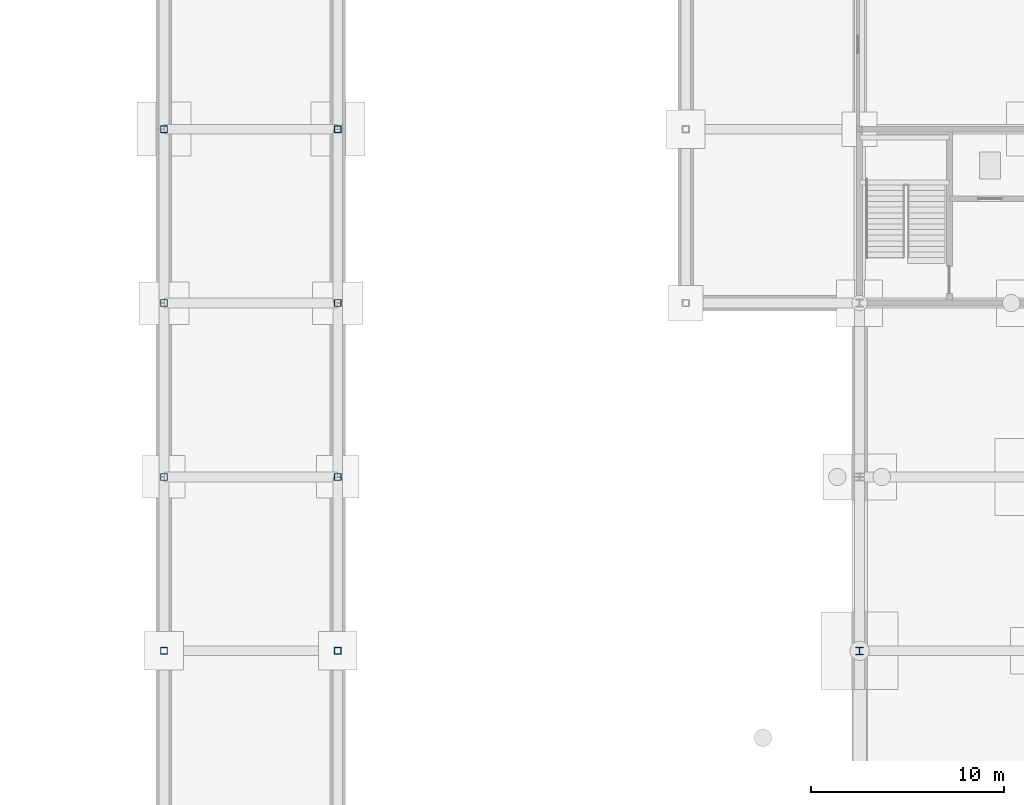
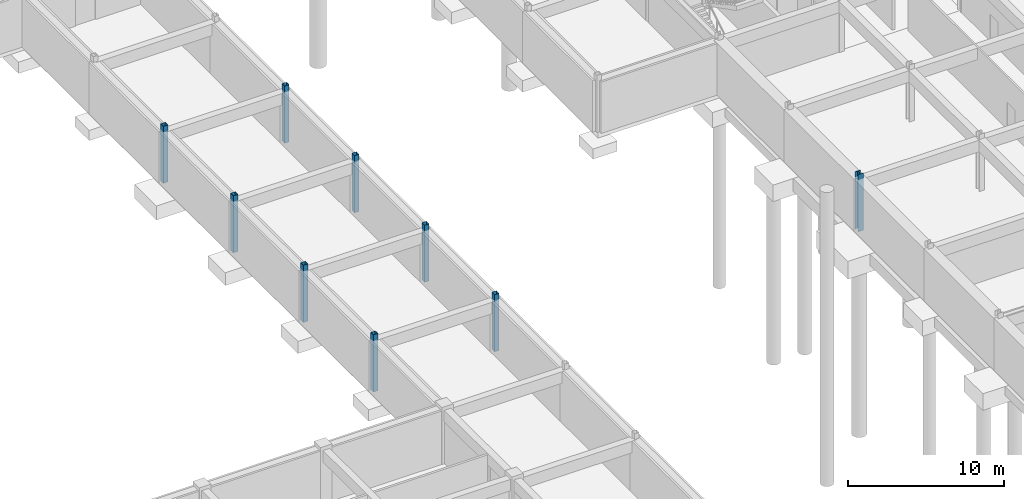
# One storey, part 7 of 41: 9 columns.
"""IFC4 building model written with IfcOpenShell, lengths in metres."""

from ifc_helpers import new_model, si_unit, direction, frame, origin, origin_2d, place, context, subcontext, project, spatial, hollow_rectangle, i_section, extrude, material, material_profile, profile_set, type_object, element, save


model = new_model("IFC4")

# Units and contexts
model_context = context("Model", 3, precision=1e-05, world=origin(), true_north=direction((0.0, 1.0)))
body_context = subcontext(model_context, "Body", "Model", "MODEL_VIEW")
ifc_project = project(units=[si_unit("LENGTHUNIT", "METRE"), si_unit("AREAUNIT", "SQUARE_METRE"), si_unit("VOLUMEUNIT", "CUBIC_METRE"), si_unit("PLANEANGLEUNIT", "RADIAN"), si_unit("MASSUNIT", "GRAM", prefix="KILO")], contexts=[model_context])

# Site, building, storey
site_placement = place(None, origin())
site = spatial("IfcSite", under=ifc_project, at=site_placement, CompositionType="ELEMENT")
building_placement = place(site_placement, origin())
building = spatial("IfcBuilding", under=site, at=building_placement, Name="Palais des Congres Ocreval", CompositionType="ELEMENT")
storey_placement = place(building_placement, frame((0.0, 0.0, -8.9599609375)))
storey = spatial("IfcBuildingStorey", under=building, at=storey_placement, Name="B2", CompositionType="ELEMENT", Elevation=-8.9599609375)

# Columns
ifc_material = material(Name="Steel S355", Category="steel")
ifc_material_profile_1 = material_profile(ifc_material, i_section(OverallWidth=0.40087890625, OverallDepth=0.39892578125, WebThickness=0.0185546875, FlangeThickness=0.030029296875, at=origin_2d()), Name="HD 400x314")
ifc_profile_set_1 = profile_set([ifc_material_profile_1], Name="Steel S355")
column_type_1 = type_object("IfcColumnType", Name="Column HD 400x314 Steel S355", PredefinedType="COLUMN", material=ifc_profile_set_1)
column_placement = place(storey_placement, frame((108.0, 27.0, 0.0), z_axis=(0.0, 0.0, 1.0), x_axis=(1.0, 0.0, 0.0)))
element("IfcColumn", 1, at=column_placement, inside=storey, type_object=column_type_1, Name="Column C04 B2", PredefinedType="COLUMN", context=body_context, shape_type="SweptSolid", body=[
    extrude(i_section(OverallWidth=0.40087890625, OverallDepth=0.39892578125, WebThickness=0.0185546875, FlangeThickness=0.030029296875, at=origin_2d()), origin(), (0.0, 0.0, 1.0), 4.47998046875),
])
ifc_material_profile_2 = material_profile(ifc_material, hollow_rectangle(XDim=0.35009765625, YDim=0.35009765625, WallThickness=0.01611328125, at=origin_2d()), Name="RHS 350x350x16")
ifc_profile_set_2 = profile_set([ifc_material_profile_2], Name="Steel S355")
column_type_2 = type_object("IfcColumnType", Name="Column RHS 350x350x16 Steel S355", PredefinedType="COLUMN", material=ifc_profile_set_2)
for number, where, z_axis, x_axis, name in (
    (2, (72.0, 27.0, 0.0), (0.0, 0.0, 1.0), (1.0, 0.0, 0.0), "Column C18 B2"),
    (3, (72.0, 36.0, 0.0), (0.0, 0.0, 1.0), (1.0, 0.0, 0.0), "Column C18 B2"),
    (4, (72.0, 45.0, 0.0), (0.0, 0.0, 1.0), (1.0, 0.0, 0.0), "Column C18 B2"),
    (5, (72.0, 54.0, 0.0), (0.0, 0.0, 1.0), (1.0, 0.0, 0.0), "Column C18 B2"),
    (6, (81.0, 27.0, 0.0), (0.0, 0.0, 1.0), (1.0, 0.0, 0.0), "Column C18 B2"),
    (7, (81.0, 36.0, 0.0), (0.0, 0.0, 1.0), (1.0, 0.0, 0.0), "Column C18 B2"),
    (8, (81.0, 45.0, 0.0), (0.0, 0.0, 1.0), (1.0, 0.0, 0.0), "Column C18 B2"),
    (9, (81.0, 54.0, 0.0), (0.0, 0.0, 1.0), (1.0, 0.0, 0.0), "Column C18 B2"),
):
    element("IfcColumn", number, at=place(storey_placement, frame(where, z_axis=z_axis, x_axis=x_axis)), inside=storey, type_object=column_type_2, Name=name, PredefinedType="COLUMN", context=body_context, shape_type="SweptSolid", body=[
        extrude(hollow_rectangle(XDim=0.35009765625, YDim=0.35009765625, WallThickness=0.01611328125, at=origin_2d()), origin(), (0.0, 0.0, 1.0), 4.47998046875),
    ])

save(model, "model.ifc")
